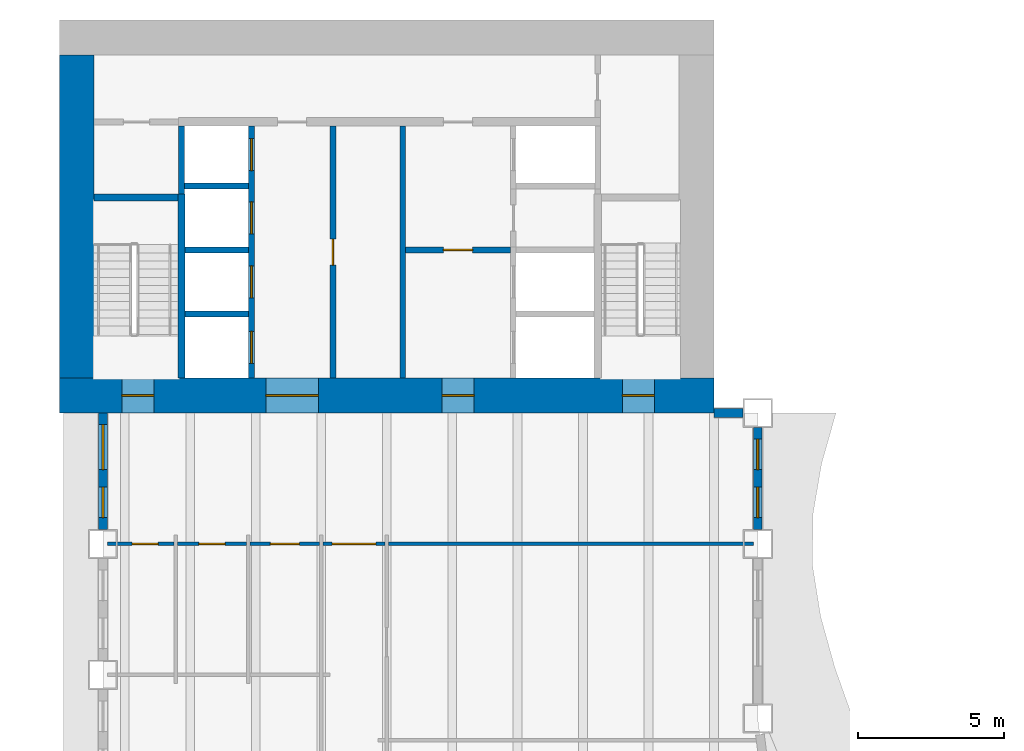
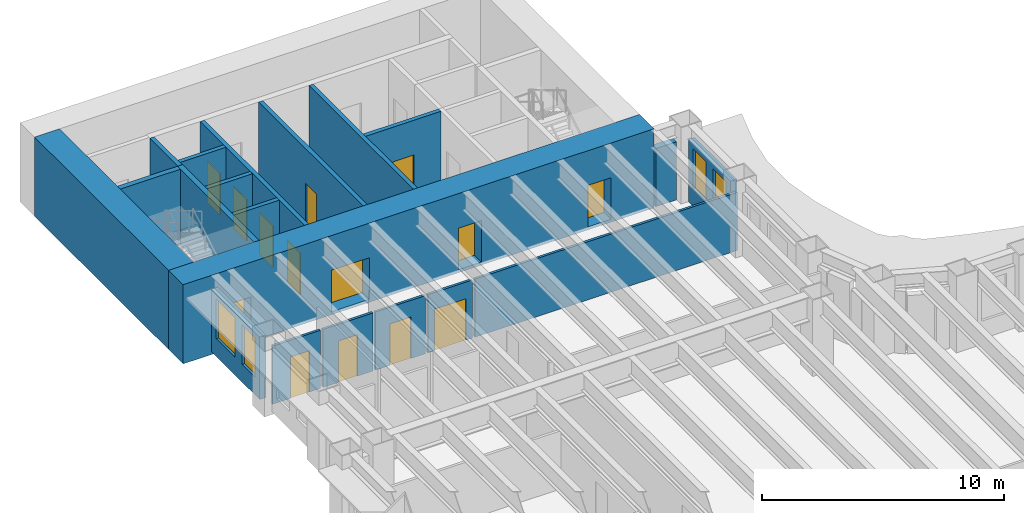
# One storey, part 8 of 16: 20 walls, 14 doors, 4 windows, 18 openings.
"""IFC4 building model written with IfcOpenShell, lengths in metres."""

from ifc_helpers import new_model, si_unit, direction, frame, frame_2d, origin, place, context, subcontext, project, spatial, rectangle, extrude, material, layer, layer_set, type_object, element, fill, save


model = new_model("IFC4")

# Units and contexts
model_context = context("Model", 3, precision=1e-05, world=origin(), true_north=direction((0.0, 1.0)))
body_context = subcontext(model_context, "Body", "Model", "MODEL_VIEW")
ifc_project = project(units=[si_unit("LENGTHUNIT", "METRE"), si_unit("AREAUNIT", "SQUARE_METRE"), si_unit("VOLUMEUNIT", "CUBIC_METRE"), si_unit("PLANEANGLEUNIT", "RADIAN"), si_unit("MASSUNIT", "GRAM", prefix="KILO")], contexts=[model_context])

# Site, building, storey
site_placement = place(None, origin())
site = spatial("IfcSite", under=ifc_project, at=site_placement, CompositionType="ELEMENT")
building_placement = place(site_placement, origin())
building = spatial("IfcBuilding", under=site, at=building_placement, Name="Sennacour Bend Tower", CompositionType="ELEMENT")
storey_placement = place(building_placement, frame((0.0, 0.0, 107.0)))
storey = spatial("IfcBuildingStorey", under=building, at=storey_placement, Name="L24", CompositionType="ELEMENT", Elevation=107.0)

# Wall, openings, doors
ifc_material_1 = material(Name="Concrete C80/95", Category="concrete")
ifc_layer_1 = layer(ifc_material_1, 1.199951171875, Name="Concrete C80/95", Category="concrete")
ifc_layer_set_1 = layer_set([ifc_layer_1], Name="Concrete C80/95")
wall_type_1 = type_object("IfcWallType", Name="Core wall 1200 C80/95", PredefinedType="SHEAR", material=ifc_layer_set_1)
wall_1_placement = place(storey_placement, frame((0.0, 36.60009765625, -0.14990234375), z_axis=(0.0, 0.0, 1.0), x_axis=(1.0, 0.0, 0.0)))
wall_1 = element("IfcWall", 1, at=wall_1_placement, inside=storey, type_object=wall_type_1, Name="Core B wall L24 S", PredefinedType="SHEAR", context=body_context, shape_type="SweptSolid", body=[
    extrude(rectangle(XDim=22.5, YDim=1.199951171875, at=frame_2d((11.25, 0.0))), origin(), (0.0, 0.0, 1.0), 4.0),
])
opening_1_placement = place(wall_1_placement, frame((7.10009765625, 0.0, 0.14990234375)))
opening_1 = element("IfcOpeningElement", 2, at=opening_1_placement, cuts=wall_1, Name="Opening CD", PredefinedType="OPENING", context=body_context, shape_type="SweptSolid", body=[
    extrude(rectangle(XDim=1.800048828125, YDim=2.10009765625, at=frame_2d((0.89990234375, 1.050048828125))), frame((0.0, 0.60986328125, 0.0), z_axis=(0.0, -1.0, 0.0), x_axis=(1.0, 0.0, 0.0)), (0.0, 0.0, 1.0), 1.219970703125),
])
opening_2_placement = place(wall_1_placement, frame((13.14990234375, 0.0, 0.14990234375)))
opening_2 = element("IfcOpeningElement", 3, at=opening_2_placement, cuts=wall_1, Name="Opening FD", PredefinedType="OPENING", context=body_context, shape_type="SweptSolid", body=[
    extrude(rectangle(XDim=1.10009765625, YDim=2.10009765625, at=frame_2d((0.550048828125, 1.050048828125))), frame((0.0, 0.60986328125, 0.0), z_axis=(0.0, -1.0, 0.0), x_axis=(1.0, 0.0, 0.0)), (0.0, 0.0, 1.0), 1.219970703125),
])
opening_3_placement = place(wall_1_placement, frame((2.14990234375, 0.0, 0.14990234375)))
opening_3 = element("IfcOpeningElement", 4, at=opening_3_placement, cuts=wall_1, Name="Opening SD", PredefinedType="OPENING", context=body_context, shape_type="SweptSolid", body=[
    extrude(rectangle(XDim=1.10009765625, YDim=2.10009765625, at=frame_2d((0.550048828125, 1.050048828125))), frame((0.0, 0.60986328125, 0.0), z_axis=(0.0, -1.0, 0.0), x_axis=(1.0, 0.0, 0.0)), (0.0, 0.0, 1.0), 1.219970703125),
])
opening_4_placement = place(wall_1_placement, frame((19.35009765625, 0.0, 0.14990234375)))
opening_4 = element("IfcOpeningElement", 5, at=opening_4_placement, cuts=wall_1, Name="Opening SD", PredefinedType="OPENING", context=body_context, shape_type="SweptSolid", body=[
    extrude(rectangle(XDim=1.10009765625, YDim=2.10009765625, at=frame_2d((0.550048828125, 1.050048828125))), frame((0.0, 0.60986328125, 0.0), z_axis=(0.0, -1.0, 0.0), x_axis=(1.0, 0.0, 0.0)), (0.0, 0.0, 1.0), 1.219970703125),
])
ifc_material_2 = material(Name="Painted steel", Category="steel")
door_type_1 = type_object("IfcDoorType", Name="DR-FFL-1100", OperationType="NOTDEFINED", PredefinedType="DOOR", material=ifc_material_2)
door_1_placement = place(opening_2_placement, origin())
door_1 = element("IfcDoor", 6, at=door_1_placement, inside=storey, type_object=door_type_1, Name="Door", OperationType="SINGLE_SWING_RIGHT", OverallHeight=2.10009765625, OverallWidth=1.10009765625, PredefinedType="DOOR", context=body_context, shape_type="SweptSolid", body=[
    extrude(rectangle(XDim=1.10009765625, YDim=2.10009765625, at=frame_2d((0.550048828125, 1.050048828125))), frame((0.0, 0.02490234375, 0.0), z_axis=(0.0, -1.0, 0.0), x_axis=(1.0, 0.0, 0.0)), (0.0, 0.0, 1.0), 0.050048828125),
])
fill(opening_2, door_1)
door_type_2 = type_object("IfcDoorType", Name="DR-LOBBY-1800", OperationType="NOTDEFINED", PredefinedType="DOOR", material=ifc_material_2)
door_2_placement = place(opening_1_placement, origin())
door_2 = element("IfcDoor", 7, at=door_2_placement, inside=storey, type_object=door_type_2, Name="Door", OperationType="DOUBLE_DOOR_SINGLE_SWING", OverallHeight=2.10009765625, OverallWidth=1.800048828125, PredefinedType="DOOR", context=body_context, shape_type="SweptSolid", body=[
    extrude(rectangle(XDim=1.800048828125, YDim=2.10009765625, at=frame_2d((0.89990234375, 1.050048828125))), frame((0.0, 0.02490234375, 0.0), z_axis=(0.0, -1.0, 0.0), x_axis=(1.0, 0.0, 0.0)), (0.0, 0.0, 1.0), 0.050048828125),
])
fill(opening_1, door_2)
door_type_3 = type_object("IfcDoorType", Name="DR-STAIR-1100", OperationType="NOTDEFINED", PredefinedType="DOOR", material=ifc_material_2)
door_3_placement = place(opening_3_placement, origin())
door_3 = element("IfcDoor", 8, at=door_3_placement, inside=storey, type_object=door_type_3, Name="Door", OperationType="SINGLE_SWING_LEFT", OverallHeight=2.10009765625, OverallWidth=1.10009765625, PredefinedType="DOOR", context=body_context, shape_type="SweptSolid", body=[
    extrude(rectangle(XDim=1.10009765625, YDim=2.10009765625, at=frame_2d((0.550048828125, 1.050048828125))), frame((0.0, 0.02490234375, 0.0), z_axis=(0.0, -1.0, 0.0), x_axis=(1.0, 0.0, 0.0)), (0.0, 0.0, 1.0), 0.050048828125),
])
fill(opening_3, door_3)
door_4_placement = place(opening_4_placement, origin())
door_4 = element("IfcDoor", 9, at=door_4_placement, inside=storey, type_object=door_type_3, Name="Door", OperationType="SINGLE_SWING_RIGHT", OverallHeight=2.10009765625, OverallWidth=1.10009765625, PredefinedType="DOOR", context=body_context, shape_type="SweptSolid", body=[
    extrude(rectangle(XDim=1.10009765625, YDim=2.10009765625, at=frame_2d((0.550048828125, 1.050048828125))), frame((0.0, 0.02490234375, 0.0), z_axis=(0.0, -1.0, 0.0), x_axis=(1.0, 0.0, 0.0)), (0.0, 0.0, 1.0), 0.050048828125),
])
fill(opening_4, door_4)

# Wall
wall_2_placement = place(storey_placement, frame((0.60009765625, 37.199951171875, -0.14990234375), z_axis=(0.0, 0.0, 1.0), x_axis=(0.0, 1.0, 0.0)))
element("IfcWall", 10, at=wall_2_placement, inside=storey, type_object=wall_type_1, Name="Core B wall L24 W", PredefinedType="SHEAR", context=body_context, shape_type="SweptSolid", body=[
    extrude(rectangle(XDim=11.10009765625, YDim=1.199951171875, at=frame_2d((5.550048828125, 0.0))), origin(), (0.0, 0.0, 1.0), 4.0),
])

# Wall, opening, door
ifc_material_3 = material(Name="Plasterboard partition on steel studs", Category="steel")
ifc_layer_2 = layer(ifc_material_3, 0.1201171875, Name="Plasterboard partition on steel studs", Category="steel")
ifc_layer_set_2 = layer_set([ifc_layer_2], Name="Plasterboard partition on steel studs")
wall_type_2 = type_object("IfcWallType", Name="Partition 120", PredefinedType="PARTITIONING", material=ifc_layer_set_2)
wall_3_placement = place(storey_placement, frame((1.64990234375, 31.5, 0.0), z_axis=(0.0, 0.0, 1.0), x_axis=(1.0, 0.0, 0.0)))
wall_3 = element("IfcWall", 11, at=wall_3_placement, inside=storey, type_object=wall_type_2, Name="P-L24-W073aa", PredefinedType="PARTITIONING", context=body_context, shape_type="SweptSolid", body=[
    extrude(rectangle(XDim=2.2900390625, YDim=0.1201171875, at=frame_2d((1.14501953125, 0.0))), origin(), (0.0, 0.0, 1.0), 2.93798828125),
])
opening_5_placement = place(wall_3_placement, frame((0.85009765625, 0.0, 0.0)))
opening_5 = element("IfcOpeningElement", 12, at=opening_5_placement, cuts=wall_3, Name="Opening WD", PredefinedType="OPENING", context=body_context, shape_type="SweptSolid", body=[
    extrude(rectangle(XDim=0.89990234375, YDim=2.10009765625, at=frame_2d((0.449951171875, 1.050048828125))), frame((0.0, 0.070068359375, 0.0), z_axis=(0.0, -1.0, 0.0), x_axis=(1.0, 0.0, 0.0)), (0.0, 0.0, 1.0), 0.14013671875),
])
ifc_material_4 = material(Name="Timber", Category="wood")
door_type_4 = type_object("IfcDoorType", Name="DR-WC-900", OperationType="NOTDEFINED", PredefinedType="DOOR", material=ifc_material_4)
door_5_placement = place(opening_5_placement, origin())
door_5 = element("IfcDoor", 13, at=door_5_placement, inside=storey, type_object=door_type_4, Name="Door", OperationType="SINGLE_SWING_RIGHT", OverallHeight=2.10009765625, OverallWidth=0.89990234375, PredefinedType="DOOR", context=body_context, shape_type="SweptSolid", body=[
    extrude(rectangle(XDim=0.89990234375, YDim=2.10009765625, at=frame_2d((0.449951171875, 1.050048828125))), frame((0.0, 0.02490234375, 0.0), z_axis=(0.0, -1.0, 0.0), x_axis=(1.0, 0.0, 0.0)), (0.0, 0.0, 1.0), 0.050048828125),
])
fill(opening_5, door_5)

wall_4_placement = place(storey_placement, frame((4.06005859375, 31.5, 0.0), z_axis=(0.0, 0.0, 1.0), x_axis=(1.0, 0.0, 0.0)))
wall_4 = element("IfcWall", 14, at=wall_4_placement, inside=storey, type_object=wall_type_2, Name="P-L24-W073ab", PredefinedType="PARTITIONING", context=body_context, shape_type="SweptSolid", body=[
    extrude(rectangle(XDim=2.3798828125, YDim=0.1201171875, at=frame_2d((1.18994140625, 0.0))), origin(), (0.0, 0.0, 1.0), 2.93798828125),
])
opening_6_placement = place(wall_4_placement, frame((0.739990234375, 0.0, 0.0)))
opening_6 = element("IfcOpeningElement", 15, at=opening_6_placement, cuts=wall_4, Name="Opening WD", PredefinedType="OPENING", context=body_context, shape_type="SweptSolid", body=[
    extrude(rectangle(XDim=0.89990234375, YDim=2.10009765625, at=frame_2d((0.449951171875, 1.050048828125))), frame((0.0, 0.070068359375, 0.0), z_axis=(0.0, -1.0, 0.0), x_axis=(1.0, 0.0, 0.0)), (0.0, 0.0, 1.0), 0.14013671875),
])
door_6_placement = place(opening_6_placement, origin())
door_6 = element("IfcDoor", 16, at=door_6_placement, inside=storey, type_object=door_type_4, Name="Door", OperationType="SINGLE_SWING_LEFT", OverallHeight=2.10009765625, OverallWidth=0.89990234375, PredefinedType="DOOR", context=body_context, shape_type="SweptSolid", body=[
    extrude(rectangle(XDim=0.89990234375, YDim=2.10009765625, at=frame_2d((0.449951171875, 1.050048828125))), frame((0.0, 0.02490234375, 0.0), z_axis=(0.0, -1.0, 0.0), x_axis=(1.0, 0.0, 0.0)), (0.0, 0.0, 1.0), 0.050048828125),
])
fill(opening_6, door_6)

wall_5_placement = place(storey_placement, frame((6.56005859375, 31.5, 0.0), z_axis=(0.0, 0.0, 1.0), x_axis=(1.0, 0.0, 0.0)))
wall_5 = element("IfcWall", 17, at=wall_5_placement, inside=storey, type_object=wall_type_2, Name="P-L24-W073ac", PredefinedType="PARTITIONING", context=body_context, shape_type="SweptSolid", body=[
    extrude(rectangle(XDim=2.3798828125, YDim=0.1201171875, at=frame_2d((1.18994140625, 0.0))), origin(), (0.0, 0.0, 1.0), 2.93798828125),
])
opening_7_placement = place(wall_5_placement, frame((0.68994140625, 0.0, 0.0)))
opening_7 = element("IfcOpeningElement", 18, at=opening_7_placement, cuts=wall_5, Name="Opening AD", PredefinedType="OPENING", context=body_context, shape_type="SweptSolid", body=[
    extrude(rectangle(XDim=1.0, YDim=2.10009765625, at=frame_2d((0.5, 1.050048828125))), frame((0.0, 0.070068359375, 0.0), z_axis=(0.0, -1.0, 0.0), x_axis=(1.0, 0.0, 0.0)), (0.0, 0.0, 1.0), 0.14013671875),
])
door_type_5 = type_object("IfcDoorType", Name="DR-ACC-WC-1000", OperationType="NOTDEFINED", PredefinedType="DOOR", material=ifc_material_4)
door_7_placement = place(opening_7_placement, origin())
door_7 = element("IfcDoor", 19, at=door_7_placement, inside=storey, type_object=door_type_5, Name="Door", OperationType="SINGLE_SWING_LEFT", OverallHeight=2.10009765625, OverallWidth=1.0, PredefinedType="DOOR", context=body_context, shape_type="SweptSolid", body=[
    extrude(rectangle(XDim=1.0, YDim=2.10009765625, at=frame_2d((0.5, 1.050048828125))), frame((0.0, 0.02490234375, 0.0), z_axis=(0.0, -1.0, 0.0), x_axis=(1.0, 0.0, 0.0)), (0.0, 0.0, 1.0), 0.050048828125),
])
fill(opening_7, door_7)

# Wall
wall_6_placement = place(storey_placement, frame((11.31005859375, 31.5, 0.0), z_axis=(0.0, 0.0, 1.0), x_axis=(1.0, 0.0, 0.0)))
element("IfcWall", 20, at=wall_6_placement, inside=storey, type_object=wall_type_2, Name="P-L24-W073ae", PredefinedType="PARTITIONING", context=body_context, shape_type="SweptSolid", body=[
    extrude(rectangle(XDim=12.5400390625, YDim=0.1201171875, at=frame_2d((6.27001953125, 0.0))), origin(), (0.0, 0.0, 1.0), 2.93798828125),
])

# Wall, opening, door
ifc_layer_3 = layer(ifc_material_3, 0.1201171875, Name="Plasterboard partition on steel studs", Category="steel")
ifc_layer_set_3 = layer_set([ifc_layer_3], Name="Plasterboard partition on steel studs")
wall_type_3 = type_object("IfcWallType", Name="Partition 120 EI 30", PredefinedType="PARTITIONING", material=ifc_layer_set_3)
wall_7_placement = place(storey_placement, frame((9.06005859375, 31.5, 0.0), z_axis=(0.0, 0.0, 1.0), x_axis=(1.0, 0.0, 0.0)))
wall_7 = element("IfcWall", 21, at=wall_7_placement, inside=storey, type_object=wall_type_3, Name="P-L24-W073ad", PredefinedType="PARTITIONING", context=body_context, shape_type="SweptSolid", body=[
    extrude(rectangle(XDim=2.1298828125, YDim=0.1201171875, at=frame_2d((1.06494140625, 0.0))), origin(), (0.0, 0.0, 1.0), 2.93798828125),
])
opening_8_placement = place(wall_7_placement, frame((0.31494140625, 0.0, 0.0)))
opening_8 = element("IfcOpeningElement", 22, at=opening_8_placement, cuts=wall_7, Name="Opening KD", PredefinedType="OPENING", context=body_context, shape_type="SweptSolid", body=[
    extrude(rectangle(XDim=1.5, YDim=2.10009765625, at=frame_2d((0.75, 1.050048828125))), frame((0.0, 0.070068359375, 0.0), z_axis=(0.0, -1.0, 0.0), x_axis=(1.0, 0.0, 0.0)), (0.0, 0.0, 1.0), 0.14013671875),
])
door_type_6 = type_object("IfcDoorType", Name="DR-CORRIDOR-1500", OperationType="NOTDEFINED", PredefinedType="DOOR", material=ifc_material_2)
door_8_placement = place(opening_8_placement, origin())
door_8 = element("IfcDoor", 23, at=door_8_placement, inside=storey, type_object=door_type_6, Name="Door", OperationType="SINGLE_SWING_LEFT", OverallHeight=2.10009765625, OverallWidth=1.5, PredefinedType="DOOR", context=body_context, shape_type="SweptSolid", body=[
    extrude(rectangle(XDim=1.5, YDim=2.10009765625, at=frame_2d((0.75, 1.050048828125))), frame((0.0, 0.02490234375, 0.0), z_axis=(0.0, -1.0, 0.0), x_axis=(1.0, 0.0, 0.0)), (0.0, 0.0, 1.0), 0.050048828125),
])
fill(opening_8, door_8)

ifc_material_5 = material(Name="Fire-rated plasterboard partition on steel studs", Category="steel")
ifc_layer_4 = layer(ifc_material_5, 0.199951171875, Name="Fire-rated plasterboard partition on steel studs", Category="steel")
ifc_layer_set_4 = layer_set([ifc_layer_4], Name="Fire-rated plasterboard partition on steel studs")
wall_type_4 = type_object("IfcWallType", Name="Rated partition 200", PredefinedType="PARTITIONING", material=ifc_layer_set_4)
wall_8_placement = place(storey_placement, frame((9.39990234375, 37.199951171875, 0.0), z_axis=(0.0, 0.0, 1.0), x_axis=(0.0, 1.0, 0.0)))
wall_8 = element("IfcWall", 24, at=wall_8_placement, inside=storey, type_object=wall_type_4, Name="P-L24-W011", PredefinedType="PARTITIONING", context=body_context, shape_type="SweptSolid", body=[
    extrude(rectangle(XDim=8.650146484375, YDim=0.199951171875, at=frame_2d((4.3251953125, 0.0))), origin(), (0.0, 0.0, 1.0), 3.85009765625),
])
opening_9_placement = place(wall_8_placement, frame((3.875, 0.0, 0.0)))
opening_9 = element("IfcOpeningElement", 25, at=opening_9_placement, cuts=wall_8, Name="Opening SV", PredefinedType="OPENING", context=body_context, shape_type="SweptSolid", body=[
    extrude(rectangle(XDim=0.89990234375, YDim=2.10009765625, at=frame_2d((0.449951171875, 1.050048828125))), frame((0.0, 0.10986328125, 0.0), z_axis=(0.0, -1.0, 0.0), x_axis=(1.0, 0.0, 0.0)), (0.0, 0.0, 1.0), 0.219970703125),
])
door_type_7 = type_object("IfcDoorType", Name="DR-SERVICE-900", OperationType="NOTDEFINED", PredefinedType="DOOR", material=ifc_material_2)
door_9_placement = place(opening_9_placement, origin())
door_9 = element("IfcDoor", 26, at=door_9_placement, inside=storey, type_object=door_type_7, Name="Door", OperationType="SINGLE_SWING_LEFT", OverallHeight=2.10009765625, OverallWidth=0.89990234375, PredefinedType="DOOR", context=body_context, shape_type="SweptSolid", body=[
    extrude(rectangle(XDim=0.89990234375, YDim=2.10009765625, at=frame_2d((0.449951171875, 1.050048828125))), frame((0.0, 0.02490234375, 0.0), z_axis=(0.0, -1.0, 0.0), x_axis=(1.0, 0.0, 0.0)), (0.0, 0.0, 1.0), 0.050048828125),
])
fill(opening_9, door_9)

# Wall
wall_9_placement = place(storey_placement, frame((11.800048828125, 37.199951171875, 0.0), z_axis=(0.0, 0.0, 1.0), x_axis=(0.0, 1.0, 0.0)))
element("IfcWall", 27, at=wall_9_placement, inside=storey, type_object=wall_type_4, Name="P-L24-W013", PredefinedType="PARTITIONING", context=body_context, shape_type="SweptSolid", body=[
    extrude(rectangle(XDim=8.650146484375, YDim=0.199951171875, at=frame_2d((4.3251953125, 0.0))), origin(), (0.0, 0.0, 1.0), 3.85009765625),
])

# Wall, opening, door
ifc_layer_5 = layer(ifc_material_5, 0.199951171875, Name="Fire-rated plasterboard partition on steel studs", Category="steel")
ifc_layer_set_5 = layer_set([ifc_layer_5], Name="Fire-rated plasterboard partition on steel studs")
wall_type_5 = type_object("IfcWallType", Name="Rated partition 200 EI 90", PredefinedType="PARTITIONING", material=ifc_layer_set_5)
wall_10_placement = place(storey_placement, frame((11.89990234375, 41.60009765625, 0.0), z_axis=(0.0, 0.0, 1.0), x_axis=(1.0, 0.0, 0.0)))
wall_10 = element("IfcWall", 28, at=wall_10_placement, inside=storey, type_object=wall_type_5, Name="P-L24-W078", PredefinedType="PARTITIONING", context=body_context, shape_type="SweptSolid", body=[
    extrude(rectangle(XDim=3.60009765625, YDim=0.199951171875, at=frame_2d((1.800048828125, 0.0))), origin(), (0.0, 0.0, 1.0), 3.85009765625),
])
opening_10_placement = place(wall_10_placement, frame((1.300048828125, 0.0, 0.0)))
opening_10 = element("IfcOpeningElement", 29, at=opening_10_placement, cuts=wall_10, Name="Opening FD2", PredefinedType="OPENING", context=body_context, shape_type="SweptSolid", body=[
    extrude(rectangle(XDim=1.0, YDim=2.10009765625, at=frame_2d((0.5, 1.050048828125))), frame((0.0, 0.10986328125, 0.0), z_axis=(0.0, -1.0, 0.0), x_axis=(1.0, 0.0, 0.0)), (0.0, 0.0, 1.0), 0.219970703125),
])
door_type_8 = type_object("IfcDoorType", Name="DR-FFL-1000", OperationType="NOTDEFINED", PredefinedType="DOOR", material=ifc_material_2)
door_10_placement = place(opening_10_placement, origin())
door_10 = element("IfcDoor", 30, at=door_10_placement, inside=storey, type_object=door_type_8, Name="Door", OperationType="SINGLE_SWING_LEFT", OverallHeight=2.10009765625, OverallWidth=1.0, PredefinedType="DOOR", context=body_context, shape_type="SweptSolid", body=[
    extrude(rectangle(XDim=1.0, YDim=2.10009765625, at=frame_2d((0.5, 1.050048828125))), frame((0.0, 0.02490234375, 0.0), z_axis=(0.0, -1.0, 0.0), x_axis=(1.0, 0.0, 0.0)), (0.0, 0.0, 1.0), 0.050048828125),
])
fill(opening_10, door_10)

# Wall, openings, windows
ifc_material_6 = material(Name="Warm limestone cladding", Category="masonry")
ifc_layer_6 = layer(ifc_material_6, 0.050048828125, Name="Warm limestone cladding", Category="masonry")
ifc_material_7 = material(Name="Precast concrete C40/50", Category="concrete")
ifc_layer_7 = layer(ifc_material_7, 0.25, Name="Precast concrete C40/50", Category="concrete")
ifc_layer_set_6 = layer_set([ifc_layer_6, ifc_layer_7], Name="Precast concrete C40/50 with limestone cladding")
wall_type_6 = type_object("IfcWallType", Name="STONE-CLAD PRECAST SPANDREL 300", PredefinedType="STANDARD", material=ifc_layer_set_6)
wall_11_placement = place(storey_placement, frame((24.0, 32.0, 0.0), z_axis=(0.0, 0.0, 1.0), x_axis=(0.0, 1.0, 0.0)))
wall_11 = element("IfcWall", 31, at=wall_11_placement, inside=storey, type_object=wall_type_6, Name="Stone spandrel and pier wall L24 13.01", PredefinedType="STANDARD", context=body_context, shape_type="SweptSolid", body=[
    extrude(rectangle(XDim=3.5, YDim=0.300048828125, at=frame_2d((1.75, 0.0))), origin(), (0.0, 0.0, 1.0), 3.154052734375),
])
opening_11_placement = place(wall_11_placement, frame((0.39990234375, 0.0, 0.89990234375)))
opening_11 = element("IfcOpeningElement", 32, at=opening_11_placement, cuts=wall_11, Name="Opening W13", PredefinedType="OPENING", context=body_context, shape_type="SweptSolid", body=[
    extrude(rectangle(XDim=1.050048828125, YDim=2.0, at=frame_2d((0.52490234375, 1.0))), frame((0.0, 0.16015625, 0.0), z_axis=(0.0, -1.0, 0.0), x_axis=(1.0, 0.0, 0.0)), (0.0, 0.0, 1.0), 0.320068359375),
])
opening_12_placement = place(wall_11_placement, frame((2.050048828125, 0.0, 0.89990234375)))
opening_12 = element("IfcOpeningElement", 33, at=opening_12_placement, cuts=wall_11, Name="Opening W13", PredefinedType="OPENING", context=body_context, shape_type="SweptSolid", body=[
    extrude(rectangle(XDim=1.050048828125, YDim=2.0, at=frame_2d((0.52490234375, 1.0))), frame((0.0, 0.16015625, 0.0), z_axis=(0.0, -1.0, 0.0), x_axis=(1.0, 0.0, 0.0)), (0.0, 0.0, 1.0), 0.320068359375),
])
ifc_material_8 = material(Name="Clear low-emissivity glass", Category="glass")
window_type_1 = type_object("IfcWindowType", Name="WIN-RIBBON-1050x2000", PartitioningType="SINGLE_PANEL", PredefinedType="WINDOW", material=ifc_material_8)
window_1_placement = place(opening_11_placement, origin())
window_1 = element("IfcWindow", 34, at=window_1_placement, inside=storey, type_object=window_type_1, Name="Ribbon window L24 13.01.0", OverallHeight=2.0, OverallWidth=1.050048828125, PartitioningType="SINGLE_PANEL", PredefinedType="WINDOW", context=body_context, shape_type="SweptSolid", body=[
    extrude(rectangle(XDim=1.050048828125, YDim=2.0, at=frame_2d((0.52490234375, 1.0))), frame((0.0, 0.030029296875, 0.0), z_axis=(0.0, -1.0, 0.0), x_axis=(1.0, 0.0, 0.0)), (0.0, 0.0, 1.0), 0.06005859375),
])
fill(opening_11, window_1)
window_2_placement = place(opening_12_placement, origin())
window_2 = element("IfcWindow", 35, at=window_2_placement, inside=storey, type_object=window_type_1, Name="Ribbon window L24 13.01.1", OverallHeight=2.0, OverallWidth=1.050048828125, PartitioningType="SINGLE_PANEL", PredefinedType="WINDOW", context=body_context, shape_type="SweptSolid", body=[
    extrude(rectangle(XDim=1.050048828125, YDim=2.0, at=frame_2d((0.52490234375, 1.0))), frame((0.0, 0.030029296875, 0.0), z_axis=(0.0, -1.0, 0.0), x_axis=(1.0, 0.0, 0.0)), (0.0, 0.0, 1.0), 0.06005859375),
])
fill(opening_12, window_2)

# Wall
wall_12_placement = place(storey_placement, frame((23.5, 36.0, 0.0), z_axis=(0.0, 0.0, 1.0), x_axis=(-1.0, 0.0, 0.0)))
element("IfcWall", 36, at=wall_12_placement, inside=storey, type_object=wall_type_6, Name="Stone spandrel and pier wall L24 14.00", PredefinedType="STANDARD", context=body_context, shape_type="SweptSolid", body=[
    extrude(rectangle(XDim=1.0, YDim=0.300048828125, at=frame_2d((0.5, 0.0))), origin(), (0.0, 0.0, 1.0), 2.93798828125),
])

# Wall, openings, windows
wall_13_placement = place(storey_placement, frame((1.5, 36.0, 0.0), z_axis=(0.0, 0.0, 1.0), x_axis=(0.0, -1.0, 0.0)))
wall_13 = element("IfcWall", 37, at=wall_13_placement, inside=storey, type_object=wall_type_6, Name="Stone spandrel and pier wall L24 19.00", PredefinedType="STANDARD", context=body_context, shape_type="SweptSolid", body=[
    extrude(rectangle(XDim=4.0, YDim=0.300048828125, at=frame_2d((2.0, 0.0))), origin(), (0.0, 0.0, 1.0), 3.154052734375),
])
opening_13_placement = place(wall_13_placement, frame((0.39990234375, 0.0, 0.89990234375)))
opening_13 = element("IfcOpeningElement", 38, at=opening_13_placement, cuts=wall_13, Name="Opening W9", PredefinedType="OPENING", context=body_context, shape_type="SweptSolid", body=[
    extrude(rectangle(XDim=1.550048828125, YDim=2.0, at=frame_2d((0.77490234375, 1.0))), frame((0.0, 0.16015625, 0.0), z_axis=(0.0, -1.0, 0.0), x_axis=(1.0, 0.0, 0.0)), (0.0, 0.0, 1.0), 0.320068359375),
])
opening_14_placement = place(wall_13_placement, frame((2.550048828125, 0.0, 0.89990234375)))
opening_14 = element("IfcOpeningElement", 39, at=opening_14_placement, cuts=wall_13, Name="Opening W13", PredefinedType="OPENING", context=body_context, shape_type="SweptSolid", body=[
    extrude(rectangle(XDim=1.050048828125, YDim=2.0, at=frame_2d((0.52490234375, 1.0))), frame((0.0, 0.16015625, 0.0), z_axis=(0.0, -1.0, 0.0), x_axis=(1.0, 0.0, 0.0)), (0.0, 0.0, 1.0), 0.320068359375),
])
window_3_placement = place(opening_14_placement, origin())
window_3 = element("IfcWindow", 40, at=window_3_placement, inside=storey, type_object=window_type_1, Name="Ribbon window L24 19.00.1", OverallHeight=2.0, OverallWidth=1.050048828125, PartitioningType="SINGLE_PANEL", PredefinedType="WINDOW", context=body_context, shape_type="SweptSolid", body=[
    extrude(rectangle(XDim=1.050048828125, YDim=2.0, at=frame_2d((0.52490234375, 1.0))), frame((0.0, 0.030029296875, 0.0), z_axis=(0.0, -1.0, 0.0), x_axis=(1.0, 0.0, 0.0)), (0.0, 0.0, 1.0), 0.06005859375),
])
fill(opening_14, window_3)
window_type_2 = type_object("IfcWindowType", Name="WIN-RIBBON-1550x2000", PartitioningType="SINGLE_PANEL", PredefinedType="WINDOW", material=ifc_material_8)
window_4_placement = place(opening_13_placement, origin())
window_4 = element("IfcWindow", 41, at=window_4_placement, inside=storey, type_object=window_type_2, Name="Ribbon window L24 19.00.0", OverallHeight=2.0, OverallWidth=1.550048828125, PartitioningType="SINGLE_PANEL", PredefinedType="WINDOW", context=body_context, shape_type="SweptSolid", body=[
    extrude(rectangle(XDim=1.550048828125, YDim=2.0, at=frame_2d((0.77490234375, 1.0))), frame((0.0, 0.030029296875, 0.0), z_axis=(0.0, -1.0, 0.0), x_axis=(1.0, 0.0, 0.0)), (0.0, 0.0, 1.0), 0.06005859375),
])
fill(opening_13, window_4)

# Wall
ifc_material_9 = material(Name="Concrete C50/60", Category="concrete")
ifc_layer_8 = layer(ifc_material_9, 0.199951171875, Name="Concrete C50/60", Category="concrete")
ifc_layer_set_7 = layer_set([ifc_layer_8], Name="Concrete C50/60")
wall_type_7 = type_object("IfcWallType", Name="Shaft wall 200", PredefinedType="SOLIDWALL", material=ifc_layer_set_7)
wall_14_placement = place(storey_placement, frame((4.199951171875, 43.52490234375, 0.0), z_axis=(0.0, 0.0, 1.0), x_axis=(0.0, 1.0, 0.0)))
element("IfcWall", 42, at=wall_14_placement, inside=storey, type_object=wall_type_7, Name="P-L24-W006", PredefinedType="SOLIDWALL", context=body_context, shape_type="SweptSolid", body=[
    extrude(rectangle(XDim=2.3251953125, YDim=0.199951171875, at=frame_2d((1.16259765625, 0.0))), origin(), (0.0, 0.0, 1.0), 3.85009765625),
])

# Wall, openings, doors
wall_15_placement = place(storey_placement, frame((6.60009765625, 37.199951171875, 0.0), z_axis=(0.0, 0.0, 1.0), x_axis=(0.0, 1.0, 0.0)))
wall_15 = element("IfcWall", 43, at=wall_15_placement, inside=storey, type_object=wall_type_7, Name="P-L24-W008", PredefinedType="SOLIDWALL", context=body_context, shape_type="SweptSolid", body=[
    extrude(rectangle(XDim=8.650146484375, YDim=0.199951171875, at=frame_2d((4.3251953125, 0.0))), origin(), (0.0, 0.0, 1.0), 3.85009765625),
])
opening_15_placement = place(wall_15_placement, frame((0.5, 0.0, 0.011962890625)))
opening_15 = element("IfcOpeningElement", 44, at=opening_15_placement, cuts=wall_15, Name="Opening LD", PredefinedType="OPENING", context=body_context, shape_type="SweptSolid", body=[
    extrude(rectangle(XDim=1.10009765625, YDim=2.10009765625, at=frame_2d((0.550048828125, 1.050048828125))), frame((0.0, 0.10986328125, 0.0), z_axis=(0.0, -1.0, 0.0), x_axis=(1.0, 0.0, 0.0)), (0.0, 0.0, 1.0), 0.219970703125),
])
opening_16_placement = place(wall_15_placement, frame((2.75, 0.0, 0.011962890625)))
opening_16 = element("IfcOpeningElement", 45, at=opening_16_placement, cuts=wall_15, Name="Opening LD", PredefinedType="OPENING", context=body_context, shape_type="SweptSolid", body=[
    extrude(rectangle(XDim=1.10009765625, YDim=2.10009765625, at=frame_2d((0.550048828125, 1.050048828125))), frame((0.0, 0.10986328125, 0.0), z_axis=(0.0, -1.0, 0.0), x_axis=(1.0, 0.0, 0.0)), (0.0, 0.0, 1.0), 0.219970703125),
])
opening_17_placement = place(wall_15_placement, frame((4.949951171875, 0.0, 0.011962890625)))
opening_17 = element("IfcOpeningElement", 46, at=opening_17_placement, cuts=wall_15, Name="Opening LD", PredefinedType="OPENING", context=body_context, shape_type="SweptSolid", body=[
    extrude(rectangle(XDim=1.10009765625, YDim=2.10009765625, at=frame_2d((0.550048828125, 1.050048828125))), frame((0.0, 0.10986328125, 0.0), z_axis=(0.0, -1.0, 0.0), x_axis=(1.0, 0.0, 0.0)), (0.0, 0.0, 1.0), 0.219970703125),
])
opening_18_placement = place(wall_15_placement, frame((7.125, 0.0, 0.011962890625)))
opening_18 = element("IfcOpeningElement", 47, at=opening_18_placement, cuts=wall_15, Name="Opening LD", PredefinedType="OPENING", context=body_context, shape_type="SweptSolid", body=[
    extrude(rectangle(XDim=1.10009765625, YDim=2.10009765625, at=frame_2d((0.550048828125, 1.050048828125))), frame((0.0, 0.10986328125, 0.0), z_axis=(0.0, -1.0, 0.0), x_axis=(1.0, 0.0, 0.0)), (0.0, 0.0, 1.0), 0.219970703125),
])
ifc_material_10 = material(Name="Stainless steel", Category="steel")
door_type_9 = type_object("IfcDoorType", Name="DR-LANDING-1100", OperationType="NOTDEFINED", PredefinedType="DOOR", material=ifc_material_10)
door_11_placement = place(opening_15_placement, origin())
door_11 = element("IfcDoor", 48, at=door_11_placement, inside=storey, type_object=door_type_9, Name="Lift landing door LB1", OperationType="SLIDING_TO_LEFT", OverallHeight=2.10009765625, OverallWidth=1.10009765625, PredefinedType="DOOR", context=body_context, shape_type="SweptSolid", body=[
    extrude(rectangle(XDim=1.10009765625, YDim=2.10009765625, at=frame_2d((0.550048828125, 1.050048828125))), frame((0.0, 0.02490234375, 0.0), z_axis=(0.0, -1.0, 0.0), x_axis=(1.0, 0.0, 0.0)), (0.0, 0.0, 1.0), 0.050048828125),
])
fill(opening_15, door_11)
door_12_placement = place(opening_16_placement, origin())
door_12 = element("IfcDoor", 49, at=door_12_placement, inside=storey, type_object=door_type_9, Name="Lift landing door LB2", OperationType="SLIDING_TO_RIGHT", OverallHeight=2.10009765625, OverallWidth=1.10009765625, PredefinedType="DOOR", context=body_context, shape_type="SweptSolid", body=[
    extrude(rectangle(XDim=1.10009765625, YDim=2.10009765625, at=frame_2d((0.550048828125, 1.050048828125))), frame((0.0, 0.02490234375, 0.0), z_axis=(0.0, -1.0, 0.0), x_axis=(1.0, 0.0, 0.0)), (0.0, 0.0, 1.0), 0.050048828125),
])
fill(opening_16, door_12)
door_13_placement = place(opening_17_placement, origin())
door_13 = element("IfcDoor", 50, at=door_13_placement, inside=storey, type_object=door_type_9, Name="Lift landing door LB3", OperationType="SLIDING_TO_LEFT", OverallHeight=2.10009765625, OverallWidth=1.10009765625, PredefinedType="DOOR", context=body_context, shape_type="SweptSolid", body=[
    extrude(rectangle(XDim=1.10009765625, YDim=2.10009765625, at=frame_2d((0.550048828125, 1.050048828125))), frame((0.0, 0.02490234375, 0.0), z_axis=(0.0, -1.0, 0.0), x_axis=(1.0, 0.0, 0.0)), (0.0, 0.0, 1.0), 0.050048828125),
])
fill(opening_17, door_13)
door_14_placement = place(opening_18_placement, origin())
door_14 = element("IfcDoor", 51, at=door_14_placement, inside=storey, type_object=door_type_9, Name="Lift landing door LB4", OperationType="SLIDING_TO_RIGHT", OverallHeight=2.10009765625, OverallWidth=1.10009765625, PredefinedType="DOOR", context=body_context, shape_type="SweptSolid", body=[
    extrude(rectangle(XDim=1.10009765625, YDim=2.10009765625, at=frame_2d((0.550048828125, 1.050048828125))), frame((0.0, 0.02490234375, 0.0), z_axis=(0.0, -1.0, 0.0), x_axis=(1.0, 0.0, 0.0)), (0.0, 0.0, 1.0), 0.050048828125),
])
fill(opening_18, door_14)

# Walls
for number, where, z_axis, x_axis, name in (
    (52, (4.324951171875, 39.39990234375, 0.0), (0.0, 0.0, 1.0), (1.0, 0.0, 0.0), "P-L24-W075"),
    (53, (4.324951171875, 41.60009765625, 0.0), (0.0, 0.0, 1.0), (1.0, 0.0, 0.0), "P-L24-W077"),
):
    element("IfcWall", number, at=place(storey_placement, frame(where, z_axis=z_axis, x_axis=x_axis)), inside=storey, type_object=wall_type_7, Name=name, PredefinedType="SOLIDWALL", context=body_context, shape_type="SweptSolid", body=[
        extrude(rectangle(XDim=2.175048828125, YDim=0.199951171875, at=frame_2d((1.08740234375, 0.0))), origin(), (0.0, 0.0, 1.0), 3.85009765625),
    ])
wall_16_placement = place(storey_placement, frame((4.300048828125, 43.800048828125, 0.0), z_axis=(0.0, 0.0, 1.0), x_axis=(1.0, 0.0, 0.0)))
element("IfcWall", 54, at=wall_16_placement, inside=storey, type_object=wall_type_7, Name="P-L24-W082", PredefinedType="SOLIDWALL", context=body_context, shape_type="SweptSolid", body=[
    extrude(rectangle(XDim=2.199951171875, YDim=0.199951171875, at=frame_2d((1.10009765625, 0.0))), origin(), (0.0, 0.0, 1.0), 3.85009765625),
])
ifc_material_11 = material(Name="Concrete C60/75", Category="concrete")
ifc_layer_9 = layer(ifc_material_11, 0.25, Name="Concrete C60/75", Category="concrete")
ifc_layer_set_8 = layer_set([ifc_layer_9], Name="Concrete C60/75")
wall_type_8 = type_object("IfcWallType", Name="Stair wall 250", PredefinedType="SHEAR", material=ifc_layer_set_8)
wall_17_placement = place(storey_placement, frame((4.199951171875, 37.199951171875, 0.0), z_axis=(0.0, 0.0, 1.0), x_axis=(0.0, 1.0, 0.0)))
element("IfcWall", 55, at=wall_17_placement, inside=storey, type_object=wall_type_8, Name="P-L24-W005", PredefinedType="SHEAR", context=body_context, shape_type="SweptSolid", body=[
    extrude(rectangle(XDim=6.324951171875, YDim=0.25, at=frame_2d((3.16259765625, 0.0))), origin(), (0.0, 0.0, 1.0), 3.85009765625),
])
wall_18_placement = place(storey_placement, frame((1.199951171875, 43.39990234375, 0.0), z_axis=(0.0, 0.0, 1.0), x_axis=(1.0, 0.0, 0.0)))
element("IfcWall", 56, at=wall_18_placement, inside=storey, type_object=wall_type_8, Name="P-L24-W080", PredefinedType="SHEAR", context=body_context, shape_type="SweptSolid", body=[
    extrude(rectangle(XDim=2.875, YDim=0.25, at=frame_2d((1.4375, 0.0))), origin(), (0.0, 0.0, 1.0), 3.85009765625),
])

save(model, "model.ifc")
